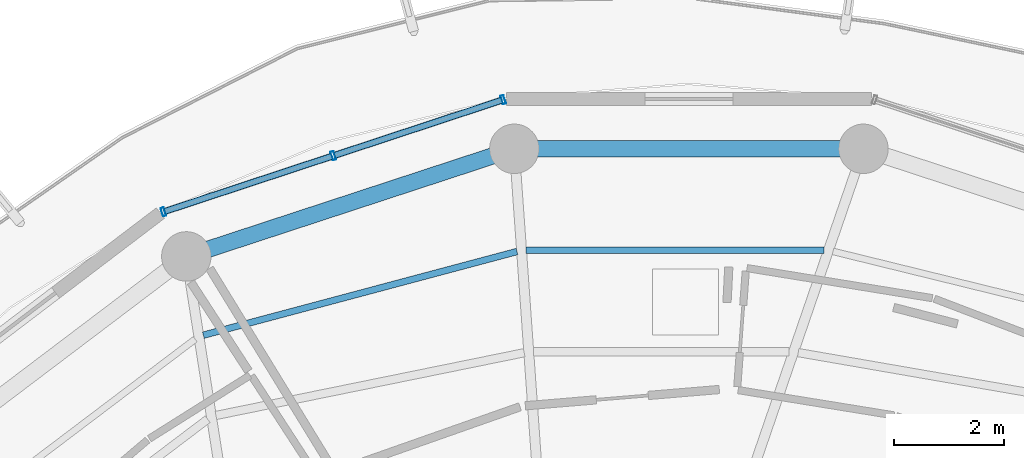
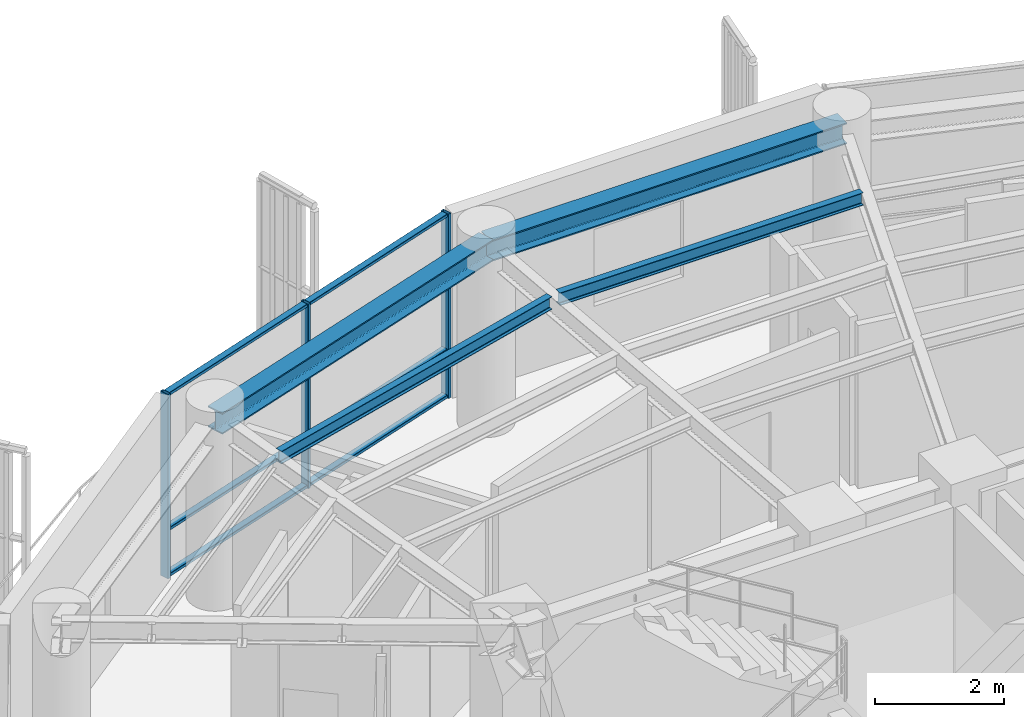
# One storey, part 13 of 23: 9 members, 4 beams, 1 element without a shape of its own.
"""IFC4 building model written with IfcOpenShell, lengths in metres."""

from ifc_helpers import new_model, si_unit, direction, frame, origin, origin_2d, place, context, subcontext, project, spatial, hollow_rectangle, i_section, extrude, material, layer, layer_set, material_profile, profile_set, type_object, element, aggregate, save


model = new_model("IFC4")

# Units and contexts
model_context = context("Model", 3, precision=1e-05, world=origin(), true_north=direction((0.0, 1.0)))
body_context = subcontext(model_context, "Body", "Model", "MODEL_VIEW")
ifc_project = project(units=[si_unit("LENGTHUNIT", "METRE"), si_unit("AREAUNIT", "SQUARE_METRE"), si_unit("VOLUMEUNIT", "CUBIC_METRE"), si_unit("PLANEANGLEUNIT", "RADIAN"), si_unit("MASSUNIT", "GRAM", prefix="KILO")], contexts=[model_context])

# Site, building, storey
site_placement = place(None, origin())
site = spatial("IfcSite", under=ifc_project, at=site_placement, CompositionType="ELEMENT")
building_placement = place(site_placement, origin())
building = spatial("IfcBuilding", under=site, at=building_placement, Name="Kelanora Arch Commons", CompositionType="ELEMENT")
storey_placement = place(building_placement, frame((0.0, 0.0, 278.699951171875)))
storey = spatial("IfcBuildingStorey", under=building, at=storey_placement, Name="L71", CompositionType="ELEMENT", Elevation=278.699951171875)

# Beams
ifc_material_1 = material(Name="Steel S355", Category="steel")
ifc_material_profile_1 = material_profile(ifc_material_1, i_section(OverallWidth=0.1201171875, OverallDepth=0.239990234375, WebThickness=0.006103515625, FlangeThickness=0.009765625, FilletRadius=0.014892578125, at=origin_2d()), Name="IPE240")
ifc_profile_set_1 = profile_set([ifc_material_profile_1], Name="Steel S355")
beam_type_1 = type_object("IfcBeamType", Name="BM-JST-02", PredefinedType="JOIST", material=ifc_profile_set_1)
beam_1_placement = place(storey_placement, frame((76.454345703125, 72.3837890625, 3.3701171875), z_axis=(-1.0, 0.0, 0.0), x_axis=(0.0, -1.0, 0.0)))
element("IfcBeam", 1, at=beam_1_placement, inside=storey, type_object=beam_type_1, Name="Secondary Chord Joist BJC-08 L71", PredefinedType="JOIST", context=body_context, shape_type="SweptSolid", body=[
    extrude(i_section(OverallWidth=0.1201171875, OverallDepth=0.239990234375, WebThickness=0.006103515625, FlangeThickness=0.009765625, FilletRadius=0.014892578125, at=origin_2d()), origin(), (0.0, 0.0, 1.0), 5.412841796875),
])
beam_2_placement = place(storey_placement, frame((70.87451171875, 72.36181640625, 3.3701171875), z_axis=(-0.966190312964, -0.257829942278, 0.0), x_axis=(0.257829942278, -0.966190312964, 0.0)))
element("IfcBeam", 2, at=beam_2_placement, inside=storey, type_object=beam_type_1, Name="Secondary Chord Joist BJC-10 L71", PredefinedType="JOIST", context=body_context, shape_type="SweptSolid", body=[
    extrude(i_section(OverallWidth=0.1201171875, OverallDepth=0.239990234375, WebThickness=0.006103515625, FlangeThickness=0.009765625, FilletRadius=0.014892578125, at=origin_2d()), origin(), (0.0, 0.0, 1.0), 5.904052734375),
])
ifc_material_profile_2 = material_profile(ifc_material_1, i_section(OverallWidth=0.300048828125, OverallDepth=0.39990234375, WebThickness=0.013427734375, FlangeThickness=0.02392578125, FilletRadius=0.027099609375, at=origin_2d()), Name="HEB400")
ifc_profile_set_2 = profile_set([ifc_material_profile_2], Name="Steel S355")
beam_type_2 = type_object("IfcBeamType", Name="BM-SPN-Z4", PredefinedType="SPANDREL", material=ifc_profile_set_2)
beam_3_placement = place(storey_placement, frame((77.17431640625, 74.2294921875, 3.2900390625), z_axis=(-1.0, 0.0, 0.0), x_axis=(0.0, -1.0, 0.0)))
element("IfcBeam", 3, at=beam_3_placement, inside=storey, type_object=beam_type_2, Name="Perimeter Spandrel Beam BS-08 L71", PredefinedType="SPANDREL", context=body_context, shape_type="SweptSolid", body=[
    extrude(i_section(OverallWidth=0.300048828125, OverallDepth=0.39990234375, WebThickness=0.013427734375, FlangeThickness=0.02392578125, FilletRadius=0.027099609375, at=origin_2d()), origin(), (0.0, 0.0, 1.0), 6.3486328125),
])
beam_4_placement = place(storey_placement, frame((70.82568359375, 74.2294921875, 3.2900390625), z_axis=(-0.950165923039, -0.311744636996, 0.0), x_axis=(0.311744636996, -0.950165923039, 0.0)))
element("IfcBeam", 4, at=beam_4_placement, inside=storey, type_object=beam_type_2, Name="Perimeter Spandrel Beam BS-10 L71", PredefinedType="SPANDREL", context=body_context, shape_type="SweptSolid", body=[
    extrude(i_section(OverallWidth=0.300048828125, OverallDepth=0.39990234375, WebThickness=0.013427734375, FlangeThickness=0.02392578125, FilletRadius=0.027099609375, at=origin_2d()), origin(), (0.0, 0.0, 1.0), 6.278564453125),
])

# Curtain wall, members
ifc_material_2 = material(Name="Terracotta ceramic-fritted low-E glass and aluminium", Category="masonry")
ifc_layer = layer(ifc_material_2, 0.18994140625)
ifc_layer_set = layer_set([ifc_layer], Name="Terracotta ceramic-fritted low-E glass and aluminium")
curtain_wall_type = type_object("IfcCurtainWallType", Name="CW-SYS-03", PredefinedType="NOTDEFINED", material=ifc_layer_set)
curtain_wall_placement = place(storey_placement, origin())
curtain_wall = element("IfcCurtainWall", 5, at=curtain_wall_placement, inside=storey, type_object=curtain_wall_type, Name="Unitised Curtain Wall L71-B05", PredefinedType="NOTDEFINED")
ifc_material_3 = material(Name="Powder-coated aluminium terracotta", Category="masonry")
ifc_material_profile_3 = material_profile(ifc_material_3, hollow_rectangle(XDim=0.159912109375, YDim=0.06005859375, WallThickness=0.0048828125, InnerFilletRadius=0.0048828125, OuterFilletRadius=0.010009765625, at=origin_2d()), Name="CWM160x60")
ifc_profile_set_3 = profile_set([ifc_material_profile_3], Name="Powder-coated aluminium terracotta")
member_type_1 = type_object("IfcMemberType", Name="CWM-STD", PredefinedType="MULLION", material=ifc_profile_set_3)
member_1_placement = place(storey_placement, frame((70.623291015625, 75.12158203125, 0.0), z_axis=(0.0, 0.0, 1.0), x_axis=(0.313252785344, -0.949669780752, 0.0)))
member_1 = element("IfcMember", 6, at=member_1_placement, type_object=member_type_1, Name="CW-03 mullion 1", PredefinedType="MULLION", context=body_context, shape_type="SweptSolid", body=[
    extrude(hollow_rectangle(XDim=0.159912109375, YDim=0.06005859375, WallThickness=0.0048828125, InnerFilletRadius=0.0048828125, OuterFilletRadius=0.010009765625, at=origin_2d()), origin(), (0.0, 0.0, 1.0), 3.47509765625),
])
member_2_placement = place(storey_placement, frame((67.532958984375, 74.102294921875, 0.0), z_axis=(0.0, 0.0, 1.0), x_axis=(0.313252785344, -0.949669780752, 0.0)))
member_2 = element("IfcMember", 7, at=member_2_placement, type_object=member_type_1, Name="CW-03 mullion 2", PredefinedType="MULLION", context=body_context, shape_type="SweptSolid", body=[
    extrude(hollow_rectangle(XDim=0.159912109375, YDim=0.06005859375, WallThickness=0.0048828125, InnerFilletRadius=0.0048828125, OuterFilletRadius=0.010009765625, at=origin_2d()), origin(), (0.0, 0.0, 1.0), 3.47509765625),
])
member_3_placement = place(storey_placement, frame((64.442626953125, 73.0830078125, 0.0), z_axis=(0.0, 0.0, 1.0), x_axis=(0.313252785344, -0.949669780752, 0.0)))
member_3 = element("IfcMember", 8, at=member_3_placement, type_object=member_type_1, Name="CW-03 mullion 3", PredefinedType="MULLION", context=body_context, shape_type="SweptSolid", body=[
    extrude(hollow_rectangle(XDim=0.159912109375, YDim=0.06005859375, WallThickness=0.0048828125, InnerFilletRadius=0.0048828125, OuterFilletRadius=0.010009765625, at=origin_2d()), origin(), (0.0, 0.0, 1.0), 3.47509765625),
])
ifc_material_profile_4 = material_profile(ifc_material_3, hollow_rectangle(XDim=0.1201171875, YDim=0.06005859375, WallThickness=0.0048828125, InnerFilletRadius=0.0048828125, OuterFilletRadius=0.010009765625, at=origin_2d()), Name="CWT120x60")
ifc_profile_set_4 = profile_set([ifc_material_profile_4], Name="Powder-coated aluminium terracotta")
member_type_2 = type_object("IfcMemberType", Name="CWT-STD", PredefinedType="USERDEFINED", material=ifc_profile_set_4)
member_4_placement = place(storey_placement, frame((70.5947265625, 75.1123046875, 0.030029296875), z_axis=(-0.949649574195, -0.313314037719, 0.0), x_axis=(0.313314037719, -0.949649574195, 0.0)))
member_4 = element("IfcMember", 9, at=member_4_placement, type_object=member_type_2, Name="CW-03 transom 1.1", ObjectType="TRANSOM", PredefinedType="USERDEFINED", context=body_context, shape_type="SweptSolid", body=[
    extrude(hollow_rectangle(XDim=0.1201171875, YDim=0.06005859375, WallThickness=0.0048828125, InnerFilletRadius=0.0048828125, OuterFilletRadius=0.010009765625, at=origin_2d()), origin(), (0.0, 0.0, 1.0), 3.194091796875),
])
member_5_placement = place(storey_placement, frame((70.5947265625, 75.1123046875, 0.900146484375), z_axis=(-0.949649574195, -0.313314037719, 0.0), x_axis=(0.313314037719, -0.949649574195, 0.0)))
member_5 = element("IfcMember", 10, at=member_5_placement, type_object=member_type_2, Name="CW-03 transom 1.2", ObjectType="TRANSOM", PredefinedType="USERDEFINED", context=body_context, shape_type="SweptSolid", body=[
    extrude(hollow_rectangle(XDim=0.1201171875, YDim=0.06005859375, WallThickness=0.0048828125, InnerFilletRadius=0.0048828125, OuterFilletRadius=0.010009765625, at=origin_2d()), origin(), (0.0, 0.0, 1.0), 3.194091796875),
])
member_6_placement = place(storey_placement, frame((70.5947265625, 75.1123046875, 3.445068359375), z_axis=(-0.949649574195, -0.313314037719, 0.0), x_axis=(0.313314037719, -0.949649574195, 0.0)))
member_6 = element("IfcMember", 11, at=member_6_placement, type_object=member_type_2, Name="CW-03 transom 1.3", ObjectType="TRANSOM", PredefinedType="USERDEFINED", context=body_context, shape_type="SweptSolid", body=[
    extrude(hollow_rectangle(XDim=0.1201171875, YDim=0.06005859375, WallThickness=0.0048828125, InnerFilletRadius=0.0048828125, OuterFilletRadius=0.010009765625, at=origin_2d()), origin(), (0.0, 0.0, 1.0), 3.194091796875),
])
member_7_placement = place(storey_placement, frame((67.50439453125, 74.0927734375, 0.030029296875), z_axis=(-0.949672315102, -0.313245102003, 0.0), x_axis=(0.313245102003, -0.949672315102, 0.0)))
member_7 = element("IfcMember", 12, at=member_7_placement, type_object=member_type_2, Name="CW-03 transom 2.1", ObjectType="TRANSOM", PredefinedType="USERDEFINED", context=body_context, shape_type="SweptSolid", body=[
    extrude(hollow_rectangle(XDim=0.1201171875, YDim=0.06005859375, WallThickness=0.0048828125, InnerFilletRadius=0.0048828125, OuterFilletRadius=0.010009765625, at=origin_2d()), origin(), (0.0, 0.0, 1.0), 3.19384765625),
])
member_8_placement = place(storey_placement, frame((67.50439453125, 74.0927734375, 0.900146484375), z_axis=(-0.949672315102, -0.313245102003, 0.0), x_axis=(0.313245102003, -0.949672315102, 0.0)))
member_8 = element("IfcMember", 13, at=member_8_placement, type_object=member_type_2, Name="CW-03 transom 2.2", ObjectType="TRANSOM", PredefinedType="USERDEFINED", context=body_context, shape_type="SweptSolid", body=[
    extrude(hollow_rectangle(XDim=0.1201171875, YDim=0.06005859375, WallThickness=0.0048828125, InnerFilletRadius=0.0048828125, OuterFilletRadius=0.010009765625, at=origin_2d()), origin(), (0.0, 0.0, 1.0), 3.19384765625),
])
member_9_placement = place(storey_placement, frame((67.50439453125, 74.0927734375, 3.445068359375), z_axis=(-0.949672315102, -0.313245102003, 0.0), x_axis=(0.313245102003, -0.949672315102, 0.0)))
member_9 = element("IfcMember", 14, at=member_9_placement, type_object=member_type_2, Name="CW-03 transom 2.3", ObjectType="TRANSOM", PredefinedType="USERDEFINED", context=body_context, shape_type="SweptSolid", body=[
    extrude(hollow_rectangle(XDim=0.1201171875, YDim=0.06005859375, WallThickness=0.0048828125, InnerFilletRadius=0.0048828125, OuterFilletRadius=0.010009765625, at=origin_2d()), origin(), (0.0, 0.0, 1.0), 3.19384765625),
])
aggregate(curtain_wall, [member_1, member_2, member_3, member_4, member_5, member_6, member_7, member_8, member_9])

save(model, "model.ifc")
